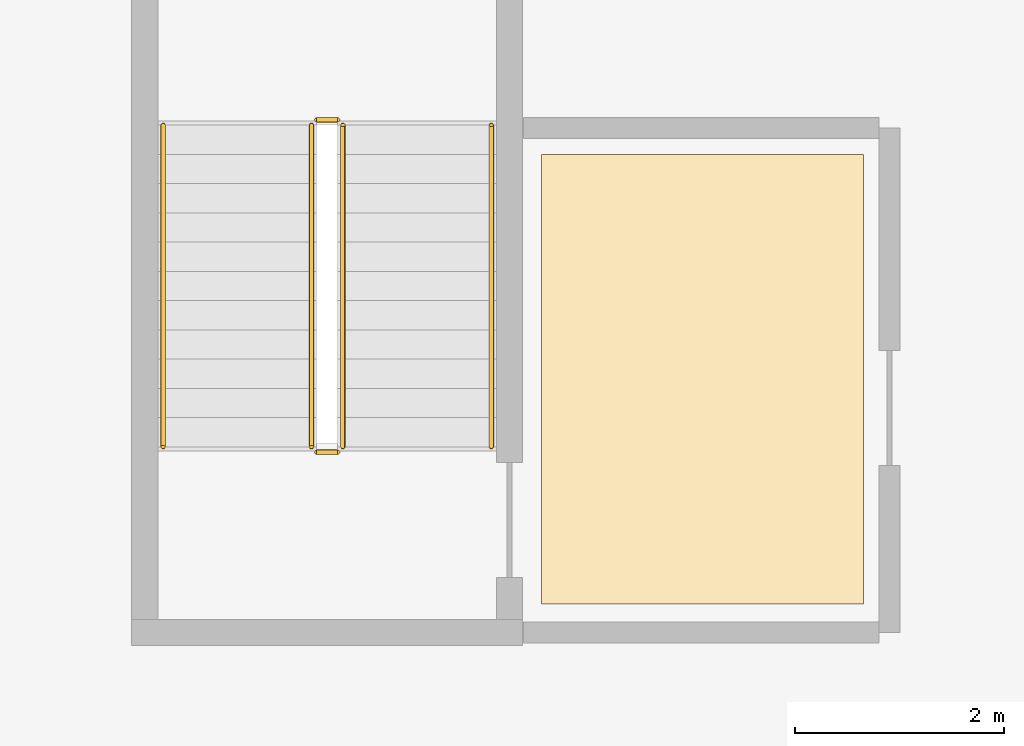
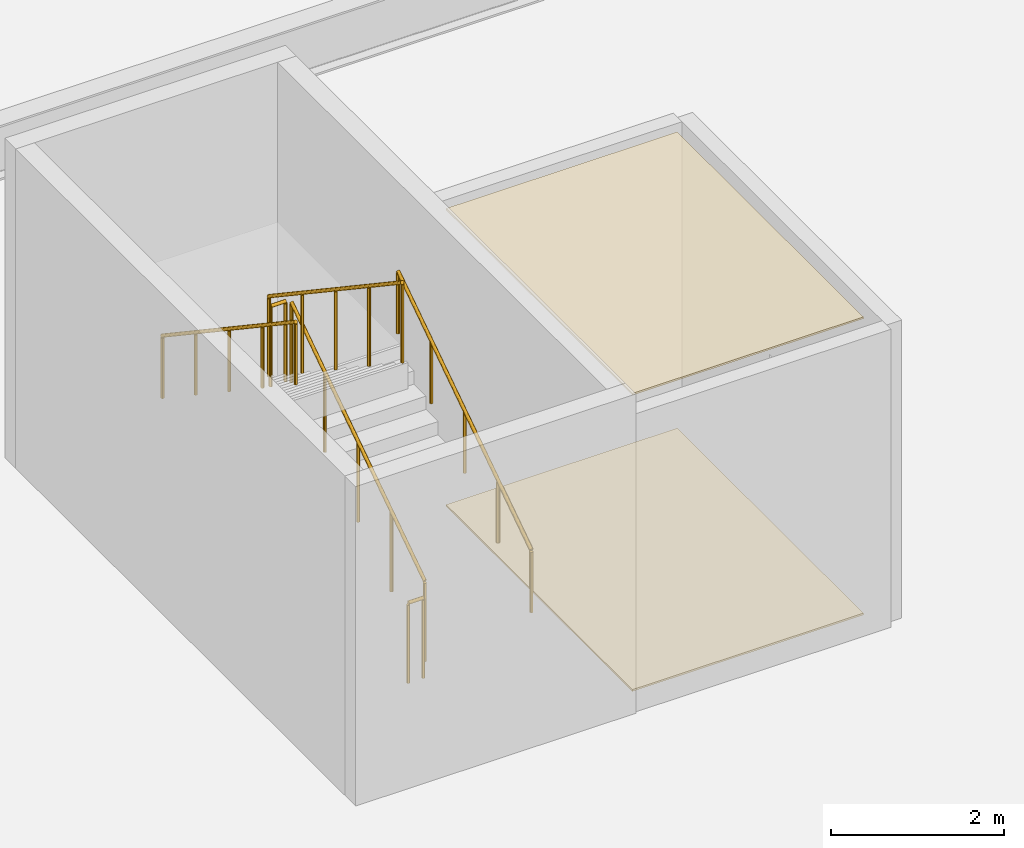
# One storey, part 31 of 43: 6 railings, 2 coverings.
"""IFC4 building model written with IfcOpenShell, lengths in metres."""

from ifc_helpers import new_model, si_unit, direction, frame, origin, origin_2d, place, context, subcontext, project, spatial, polyline, circle, outline, extrude, material, layer, layer_set, type_object, element, save


model = new_model("IFC4")

# Units and contexts
model_context = context("Model", 3, precision=1e-05, world=origin(), true_north=direction((0.0, 1.0)))
body_context = subcontext(model_context, "Body", "Model", "MODEL_VIEW")
ifc_project = project(units=[si_unit("LENGTHUNIT", "METRE"), si_unit("AREAUNIT", "SQUARE_METRE"), si_unit("VOLUMEUNIT", "CUBIC_METRE"), si_unit("PLANEANGLEUNIT", "RADIAN"), si_unit("MASSUNIT", "GRAM", prefix="KILO")], contexts=[model_context])

# Site, building, storey
site_placement = place(None, origin())
site = spatial("IfcSite", under=ifc_project, at=site_placement, CompositionType="ELEMENT")
building_placement = place(site_placement, origin())
building = spatial("IfcBuilding", under=site, at=building_placement, Name="Korimba Cascade Residences", CompositionType="ELEMENT")
storey_placement = place(building_placement, frame((0.0, 0.0, 10.0)))
storey = spatial("IfcBuildingStorey", under=building, at=storey_placement, Name="L02", CompositionType="ELEMENT", Elevation=10.0)

# Coverings
ifc_material_1 = material(Name="Perforated Acoustic Gypsum Ceiling", Category="gypsum")
ifc_layer_1 = layer(ifc_material_1, 0.02490234375)
ifc_layer_set_1 = layer_set([ifc_layer_1], Name="Perforated Acoustic Gypsum Ceiling")
covering_type_1 = type_object("IfcCoveringType", Name="COV-CLG-AC", PredefinedType="CEILING", material=ifc_layer_set_1)
covering_1_placement = place(storey_placement, frame((0.0, 0.0, 4.175048828125)))
element("IfcCovering", 1, at=covering_1_placement, inside=storey, type_object=covering_type_1, Name="L02 Suspended Acoustic Ceiling L02-PL3", PredefinedType="CEILING", context=body_context, shape_type="SweptSolid", body=[
    extrude(outline(polyline([(61.669921875, -12.64990234375), (64.75, -12.64990234375), (64.75, -8.35009765625), (61.669921875, -8.35009765625), (61.669921875, -12.64990234375)])), origin(), (0.0, 0.0, 1.0), 0.02490234375),
])
ifc_material_2 = material(Name="Honed Travertine Stone Flooring", Category="masonry")
ifc_layer_2 = layer(ifc_material_2, 0.02490234375)
ifc_layer_set_2 = layer_set([ifc_layer_2], Name="Honed Travertine Stone Flooring")
covering_type_2 = type_object("IfcCoveringType", Name="COV-FLR-STN", PredefinedType="FLOORING", material=ifc_layer_set_2)
covering_2_placement = place(storey_placement, origin())
element("IfcCovering", 2, at=covering_2_placement, inside=storey, type_object=covering_type_2, Name="L02 Honed Travertine Stone Flooring L02-PL3", PredefinedType="FLOORING", context=body_context, shape_type="SweptSolid", body=[
    extrude(outline(polyline([(61.669921875, -12.64990234375), (64.75, -12.64990234375), (64.75, -8.35009765625), (61.669921875, -8.35009765625), (61.669921875, -12.64990234375)])), origin(), (0.0, 0.0, 1.0), 0.02490234375),
])

# Railings
ifc_material_3 = material(Name="Painted Steel Stairwell Guardrail", Category="steel")
railing_type_1 = type_object("IfcRailingType", Name="RLG-ST-GD1150", PredefinedType="GUARDRAIL", material=ifc_material_3)
railing_1_placement = place(storey_placement, frame((59.77001953125, -11.14990234375, 0.1875)))
element("IfcRailing", 3, at=railing_1_placement, inside=storey, type_object=railing_type_1, Name="L02 ST-P3 stair guard 1", PredefinedType="GUARDRAIL", context=body_context, shape_type="SweptSolid", body=[
    extrude(circle(Radius=0.02392578125, at=origin_2d()), frame((0.0, 0.0, 1.1259765625), z_axis=(0.0, 0.830893310487, 0.556431762742), x_axis=(-1.0, 0.0, 0.0)), (0.0, 0.0, 1.0), 3.70654296875),
    extrude(circle(Radius=0.02099609375, at=origin_2d()), origin(), (0.0, 0.0, 1.0), 1.101806640625),
    extrude(circle(Radius=0.02099609375, at=origin_2d()), frame((0.0, 0.77001953125, 0.515625)), (0.0, 0.0, 1.0), 1.101806640625),
    extrude(circle(Radius=0.02099609375, at=origin_2d()), frame((0.0, 1.5400390625, 1.03125)), (0.0, 0.0, 1.0), 1.101806640625),
    extrude(circle(Radius=0.02099609375, at=origin_2d()), frame((0.0, 2.309814453125, 1.546875)), (0.0, 0.0, 1.0), 1.101806640625),
    extrude(circle(Radius=0.02099609375, at=origin_2d()), frame((0.0, 3.079833984375, 2.0625)), (0.0, 0.0, 1.0), 1.101806640625),
])
railing_2_placement = place(storey_placement, frame((59.719970703125, -8.02001953125, 2.25)))
element("IfcRailing", 4, at=railing_2_placement, inside=storey, type_object=railing_type_1, Name="L02 ST-P3 stair guard 2", PredefinedType="GUARDRAIL", context=body_context, shape_type="SweptSolid", body=[
    extrude(circle(Radius=0.02392578125, at=origin_2d()), frame((0.0, 0.0, 1.1259765625), z_axis=(-1.0, 0.0, 0.0), x_axis=(0.0, -1.0, 0.0)), (0.0, 0.0, 1.0), 0.199951171875),
    extrude(circle(Radius=0.02099609375, at=origin_2d()), origin(), (0.0, 0.0, 1.0), 1.101806640625),
    extrude(circle(Radius=0.02099609375, at=origin_2d()), frame((-0.199951171875, 0.0, 0.0)), (0.0, 0.0, 1.0), 1.101806640625),
])
railing_3_placement = place(storey_placement, frame((59.469970703125, -8.070068359375, 2.4375)))
element("IfcRailing", 5, at=railing_3_placement, inside=storey, type_object=railing_type_1, Name="L02 ST-P3 stair guard 3", PredefinedType="GUARDRAIL", context=body_context, shape_type="SweptSolid", body=[
    extrude(circle(Radius=0.02392578125, at=origin_2d()), frame((0.0, 0.0, 1.1259765625), z_axis=(0.0, -0.830893310487, 0.556431762742), x_axis=(1.0, 0.0, 0.0)), (0.0, 0.0, 1.0), 3.70654296875),
    extrude(circle(Radius=0.02099609375, at=origin_2d()), origin(), (0.0, 0.0, 1.0), 1.101806640625),
    extrude(circle(Radius=0.02099609375, at=origin_2d()), frame((0.0, -0.77001953125, 0.515625)), (0.0, 0.0, 1.0), 1.101806640625),
    extrude(circle(Radius=0.02099609375, at=origin_2d()), frame((0.0, -1.5400390625, 1.03125)), (0.0, 0.0, 1.0), 1.101806640625),
    extrude(circle(Radius=0.02099609375, at=origin_2d()), frame((0.0, -2.309814453125, 1.546875)), (0.0, 0.0, 1.0), 1.101806640625),
    extrude(circle(Radius=0.02099609375, at=origin_2d()), frame((0.0, -3.079833984375, 2.0625)), (0.0, 0.0, 1.0), 1.101806640625),
])
railing_4_placement = place(storey_placement, frame((59.719970703125, -11.199951171875, 0.0)))
element("IfcRailing", 6, at=railing_4_placement, inside=storey, type_object=railing_type_1, Name="L02 ST-P3 stair guard 4", PredefinedType="GUARDRAIL", context=body_context, shape_type="SweptSolid", body=[
    extrude(circle(Radius=0.02392578125, at=origin_2d()), frame((0.0, 0.0, 1.1259765625), z_axis=(-1.0, 0.0, 0.0), x_axis=(0.0, -1.0, 0.0)), (0.0, 0.0, 1.0), 0.199951171875),
    extrude(circle(Radius=0.02099609375, at=origin_2d()), origin(), (0.0, 0.0, 1.0), 1.101806640625),
    extrude(circle(Radius=0.02099609375, at=origin_2d()), frame((-0.199951171875, 0.0, 0.0)), (0.0, 0.0, 1.0), 1.101806640625),
])
ifc_material_4 = material(Name="Brushed Stainless Steel Handrail", Category="steel")
railing_type_2 = type_object("IfcRailingType", Name="RLG-ST-HR900", PredefinedType="HANDRAIL", material=ifc_material_4)
railing_5_placement = place(storey_placement, frame((61.18994140625, -11.14990234375, 0.379150390625)))
element("IfcRailing", 7, at=railing_5_placement, inside=storey, type_object=railing_type_2, Name="L02 ST-P3 stair handrail 1", PredefinedType="HANDRAIL", context=body_context, shape_type="SweptSolid", body=[
    extrude(circle(Radius=0.02392578125, at=origin_2d()), frame((0.0, 0.0, 0.8759765625), z_axis=(0.0, 0.830893310487, 0.556431762742), x_axis=(-1.0, 0.0, 0.0)), (0.0, 0.0, 1.0), 3.70654296875),
    extrude(circle(Radius=0.02099609375, at=origin_2d()), origin(), (0.0, 0.0, 1.0), 0.851806640625),
    extrude(circle(Radius=0.02099609375, at=origin_2d()), frame((0.0, 0.77001953125, 0.515625)), (0.0, 0.0, 1.0), 0.851806640625),
    extrude(circle(Radius=0.02099609375, at=origin_2d()), frame((0.0, 1.5400390625, 1.03125)), (0.0, 0.0, 1.0), 0.851806640625),
    extrude(circle(Radius=0.02099609375, at=origin_2d()), frame((0.0, 2.309814453125, 1.546875)), (0.0, 0.0, 1.0), 0.851806640625),
    extrude(circle(Radius=0.02099609375, at=origin_2d()), frame((0.0, 3.079833984375, 2.0625)), (0.0, 0.0, 1.0), 0.851806640625),
])
railing_6_placement = place(storey_placement, frame((58.050048828125, -8.070068359375, 2.629150390625)))
element("IfcRailing", 8, at=railing_6_placement, inside=storey, type_object=railing_type_2, Name="L02 ST-P3 stair handrail 2", PredefinedType="HANDRAIL", context=body_context, shape_type="SweptSolid", body=[
    extrude(circle(Radius=0.02392578125, at=origin_2d()), frame((0.0, 0.0, 0.8759765625), z_axis=(0.0, -0.830893310487, 0.556431762742), x_axis=(1.0, 0.0, 0.0)), (0.0, 0.0, 1.0), 3.70654296875),
    extrude(circle(Radius=0.02099609375, at=origin_2d()), origin(), (0.0, 0.0, 1.0), 0.851806640625),
    extrude(circle(Radius=0.02099609375, at=origin_2d()), frame((0.0, -0.77001953125, 0.515625)), (0.0, 0.0, 1.0), 0.851806640625),
    extrude(circle(Radius=0.02099609375, at=origin_2d()), frame((0.0, -1.5400390625, 1.03125)), (0.0, 0.0, 1.0), 0.851806640625),
    extrude(circle(Radius=0.02099609375, at=origin_2d()), frame((0.0, -2.309814453125, 1.546875)), (0.0, 0.0, 1.0), 0.851806640625),
    extrude(circle(Radius=0.02099609375, at=origin_2d()), frame((0.0, -3.079833984375, 2.0625)), (0.0, 0.0, 1.0), 0.851806640625),
])

save(model, "model.ifc")
